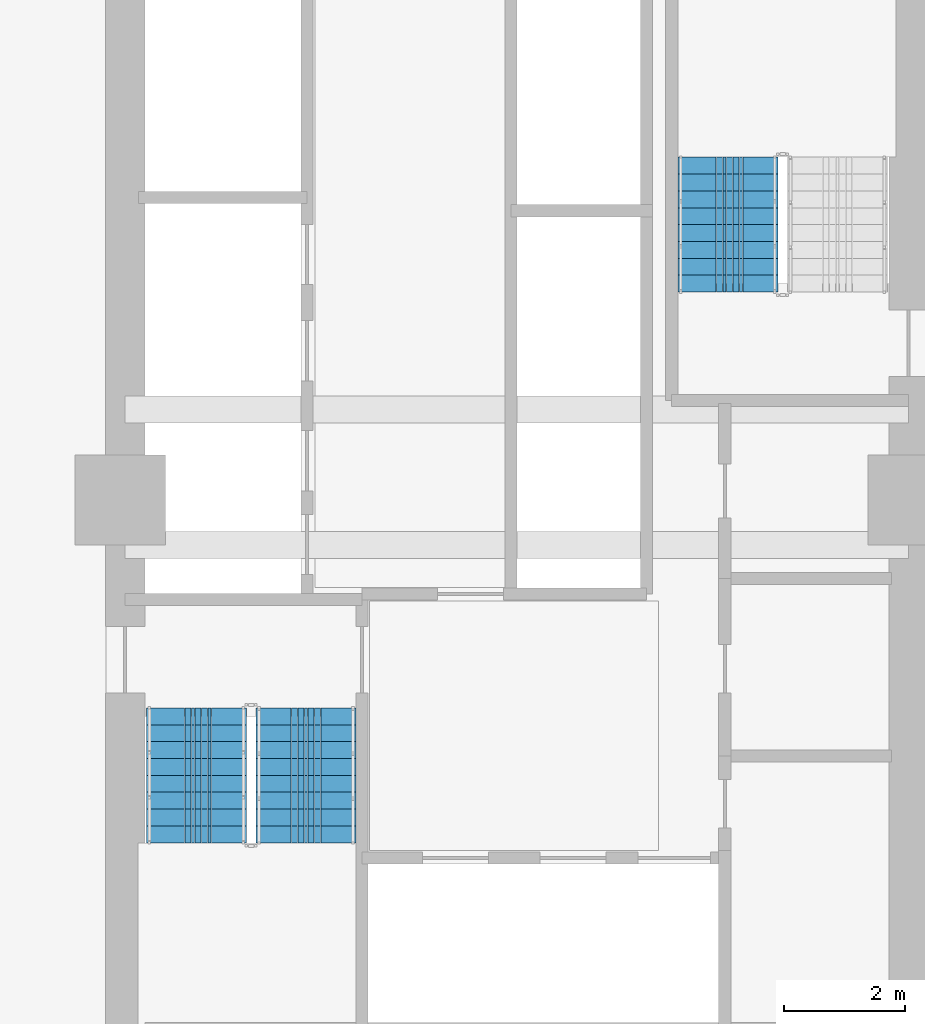
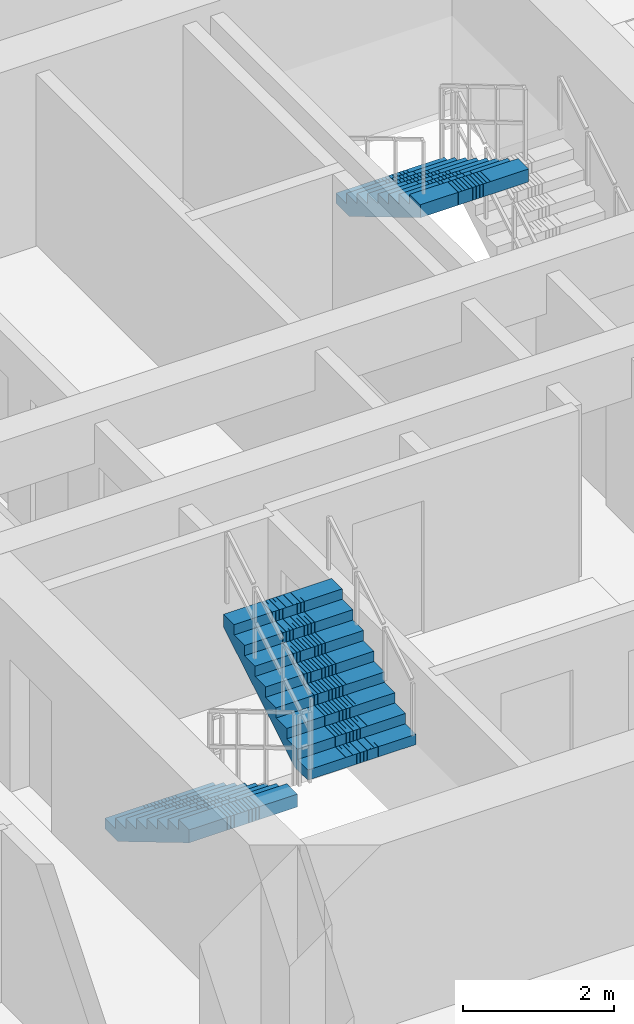
# One storey, part 9 of 16: 3 stair flights, 2 elements without a shape of their own.
"""IFC4 building model written with IfcOpenShell, lengths in metres."""

from ifc_helpers import new_model, si_unit, direction, frame, origin, place, context, subcontext, project, spatial, polyline, outline, extrude, material, type_object, element, aggregate, save


model = new_model("IFC4")

# Units and contexts
model_context = context("Model", 3, precision=1e-05, world=origin(), true_north=direction((0.0, 1.0)))
body_context = subcontext(model_context, "Body", "Model", "MODEL_VIEW")
ifc_project = project(units=[si_unit("LENGTHUNIT", "METRE"), si_unit("AREAUNIT", "SQUARE_METRE"), si_unit("VOLUMEUNIT", "CUBIC_METRE"), si_unit("PLANEANGLEUNIT", "RADIAN"), si_unit("MASSUNIT", "GRAM", prefix="KILO")], contexts=[model_context])

# Site, building, storey
site_placement = place(None, origin())
site = spatial("IfcSite", under=ifc_project, at=site_placement, CompositionType="ELEMENT")
building_placement = place(site_placement, origin())
building = spatial("IfcBuilding", under=site, at=building_placement, Name="Saelheon Loggia Tower", CompositionType="ELEMENT")
storey_placement = place(building_placement, frame((0.0, 0.0, 31.39990234375)))
storey = spatial("IfcBuildingStorey", under=building, at=storey_placement, Name="L09", CompositionType="ELEMENT", Elevation=31.39990234375)

# Stair, stair flights
ifc_material = material(Name="Concrete C40/50", Category="concrete")
stair_type = type_object("IfcStairType", Name="Stair_Escape_Core", PredefinedType="HALF_TURN_STAIR", material=ifc_material)
stair_1_placement = place(storey_placement, origin())
stair_1 = element("IfcStair", 1, at=stair_1_placement, inside=storey, type_object=stair_type, Name="L09 Special Escape Stair ST1", PredefinedType="HALF_TURN_STAIR")
stair_flight_type = type_object("IfcStairFlightType", Name="StairFlight_Tower_1660", PredefinedType="STRAIGHT", material=ifc_material)
stair_flight_1_placement = place(storey_placement, frame((32.679931640625, 23.550048828125, 0.0), z_axis=(0.0, 0.0, 1.0), x_axis=(0.0, -1.0, 0.0)))
stair_flight_1 = element("IfcStairFlight", 2, at=stair_flight_1_placement, type_object=stair_flight_type, Name="ST1 flight 1", NumberOfRisers=9, NumberOfTreads=8, PredefinedType="STRAIGHT", RiserHeight=0.166666667, TreadLength=0.28, context=body_context, shape_type="SweptSolid", body=[
    extrude(outline(polyline([(0.0, 0.0), (0.0, 0.166748046875), (0.280029296875, 0.166748046875), (0.280029296875, 0.333251953125), (0.56005859375, 0.333251953125), (0.56005859375, 0.5), (0.840087890625, 0.5), (0.840087890625, 0.666748046875), (1.1201171875, 0.666748046875), (1.1201171875, 0.833251953125), (1.39990234375, 0.833251953125), (1.39990234375, 1.0), (1.679931640625, 1.0), (1.679931640625, 1.166748046875), (1.9599609375, 1.166748046875), (1.9599609375, 1.333251953125), (2.239990234375, 1.333251953125), (2.239990234375, 1.5), (2.239990234375, 1.1240234375), (0.351806640625, 0.0), (0.0, 0.0)])), frame((0.0, -0.2490234375, 0.0), z_axis=(0.0, -1.0, 0.0), x_axis=(1.0, 0.0, 0.0)), (0.0, 0.0, 1.0), 0.5810546875),
    extrude(outline(polyline([(0.0, 0.0), (0.0, 0.166748046875), (0.280029296875, 0.166748046875), (0.280029296875, 0.333251953125), (0.56005859375, 0.333251953125), (0.56005859375, 0.5), (0.840087890625, 0.5), (0.840087890625, 0.666748046875), (1.1201171875, 0.666748046875), (1.1201171875, 0.833251953125), (1.39990234375, 0.833251953125), (1.39990234375, 1.0), (1.679931640625, 1.0), (1.679931640625, 1.166748046875), (1.9599609375, 1.166748046875), (1.9599609375, 1.333251953125), (2.239990234375, 1.333251953125), (2.239990234375, 1.5), (2.239990234375, 1.1240234375), (0.351806640625, 0.0), (0.0, 0.0)])), frame((0.0, -0.194091796875, 0.0), z_axis=(0.0, -1.0, 0.0), x_axis=(1.0, 0.0, 0.0)), (0.0, 0.0, 1.0), 0.0498046875),
    extrude(outline(polyline([(0.0, 0.0), (0.0, 0.166748046875), (0.280029296875, 0.166748046875), (0.280029296875, 0.333251953125), (0.56005859375, 0.333251953125), (0.56005859375, 0.5), (0.840087890625, 0.5), (0.840087890625, 0.666748046875), (1.1201171875, 0.666748046875), (1.1201171875, 0.833251953125), (1.39990234375, 0.833251953125), (1.39990234375, 1.0), (1.679931640625, 1.0), (1.679931640625, 1.166748046875), (1.9599609375, 1.166748046875), (1.9599609375, 1.333251953125), (2.239990234375, 1.333251953125), (2.239990234375, 1.5), (2.239990234375, 1.1240234375), (0.351806640625, 0.0), (0.0, 0.0)])), frame((0.0, -0.139404296875, 0.0), z_axis=(0.0, -1.0, 0.0), x_axis=(1.0, 0.0, 0.0)), (0.0, 0.0, 1.0), 0.0498046875),
    extrude(outline(polyline([(0.0, 0.0), (0.0, 0.166748046875), (0.280029296875, 0.166748046875), (0.280029296875, 0.333251953125), (0.56005859375, 0.333251953125), (0.56005859375, 0.5), (0.840087890625, 0.5), (0.840087890625, 0.666748046875), (1.1201171875, 0.666748046875), (1.1201171875, 0.833251953125), (1.39990234375, 0.833251953125), (1.39990234375, 1.0), (1.679931640625, 1.0), (1.679931640625, 1.166748046875), (1.9599609375, 1.166748046875), (1.9599609375, 1.333251953125), (2.239990234375, 1.333251953125), (2.239990234375, 1.5), (2.239990234375, 1.1240234375), (0.351806640625, 0.0), (0.0, 0.0)])), frame((0.0, -0.084716796875, 0.0), z_axis=(0.0, -1.0, 0.0), x_axis=(1.0, 0.0, 0.0)), (0.0, 0.0, 1.0), 0.0498046875),
    extrude(outline(polyline([(0.0, 0.0), (0.0, 0.166748046875), (0.280029296875, 0.166748046875), (0.280029296875, 0.333251953125), (0.56005859375, 0.333251953125), (0.56005859375, 0.5), (0.840087890625, 0.5), (0.840087890625, 0.666748046875), (1.1201171875, 0.666748046875), (1.1201171875, 0.833251953125), (1.39990234375, 0.833251953125), (1.39990234375, 1.0), (1.679931640625, 1.0), (1.679931640625, 1.166748046875), (1.9599609375, 1.166748046875), (1.9599609375, 1.333251953125), (2.239990234375, 1.333251953125), (2.239990234375, 1.5), (2.239990234375, 1.1240234375), (0.351806640625, 0.0), (0.0, 0.0)])), frame((0.0, -0.02978515625, 0.0), z_axis=(0.0, -1.0, 0.0), x_axis=(1.0, 0.0, 0.0)), (0.0, 0.0, 1.0), 0.0498046875),
    extrude(outline(polyline([(0.0, 0.0), (0.0, 0.166748046875), (0.280029296875, 0.166748046875), (0.280029296875, 0.333251953125), (0.56005859375, 0.333251953125), (0.56005859375, 0.5), (0.840087890625, 0.5), (0.840087890625, 0.666748046875), (1.1201171875, 0.666748046875), (1.1201171875, 0.833251953125), (1.39990234375, 0.833251953125), (1.39990234375, 1.0), (1.679931640625, 1.0), (1.679931640625, 1.166748046875), (1.9599609375, 1.166748046875), (1.9599609375, 1.333251953125), (2.239990234375, 1.333251953125), (2.239990234375, 1.5), (2.239990234375, 1.1240234375), (0.351806640625, 0.0), (0.0, 0.0)])), frame((0.0, 0.02490234375, 0.0), z_axis=(0.0, -1.0, 0.0), x_axis=(1.0, 0.0, 0.0)), (0.0, 0.0, 1.0), 0.0498046875),
    extrude(outline(polyline([(0.0, 0.0), (0.0, 0.166748046875), (0.280029296875, 0.166748046875), (0.280029296875, 0.333251953125), (0.56005859375, 0.333251953125), (0.56005859375, 0.5), (0.840087890625, 0.5), (0.840087890625, 0.666748046875), (1.1201171875, 0.666748046875), (1.1201171875, 0.833251953125), (1.39990234375, 0.833251953125), (1.39990234375, 1.0), (1.679931640625, 1.0), (1.679931640625, 1.166748046875), (1.9599609375, 1.166748046875), (1.9599609375, 1.333251953125), (2.239990234375, 1.333251953125), (2.239990234375, 1.5), (2.239990234375, 1.1240234375), (0.351806640625, 0.0), (0.0, 0.0)])), frame((0.0, 0.07958984375, 0.0), z_axis=(0.0, -1.0, 0.0), x_axis=(1.0, 0.0, 0.0)), (0.0, 0.0, 1.0), 0.0498046875),
    extrude(outline(polyline([(0.0, 0.0), (0.0, 0.166748046875), (0.280029296875, 0.166748046875), (0.280029296875, 0.333251953125), (0.56005859375, 0.333251953125), (0.56005859375, 0.5), (0.840087890625, 0.5), (0.840087890625, 0.666748046875), (1.1201171875, 0.666748046875), (1.1201171875, 0.833251953125), (1.39990234375, 0.833251953125), (1.39990234375, 1.0), (1.679931640625, 1.0), (1.679931640625, 1.166748046875), (1.9599609375, 1.166748046875), (1.9599609375, 1.333251953125), (2.239990234375, 1.333251953125), (2.239990234375, 1.5), (2.239990234375, 1.1240234375), (0.351806640625, 0.0), (0.0, 0.0)])), frame((0.0, 0.134521484375, 0.0), z_axis=(0.0, -1.0, 0.0), x_axis=(1.0, 0.0, 0.0)), (0.0, 0.0, 1.0), 0.0498046875),
    extrude(outline(polyline([(0.0, 0.0), (0.0, 0.166748046875), (0.280029296875, 0.166748046875), (0.280029296875, 0.333251953125), (0.56005859375, 0.333251953125), (0.56005859375, 0.5), (0.840087890625, 0.5), (0.840087890625, 0.666748046875), (1.1201171875, 0.666748046875), (1.1201171875, 0.833251953125), (1.39990234375, 0.833251953125), (1.39990234375, 1.0), (1.679931640625, 1.0), (1.679931640625, 1.166748046875), (1.9599609375, 1.166748046875), (1.9599609375, 1.333251953125), (2.239990234375, 1.333251953125), (2.239990234375, 1.5), (2.239990234375, 1.1240234375), (0.351806640625, 0.0), (0.0, 0.0)])), frame((0.0, 0.189208984375, 0.0), z_axis=(0.0, -1.0, 0.0), x_axis=(1.0, 0.0, 0.0)), (0.0, 0.0, 1.0), 0.0498046875),
    extrude(outline(polyline([(0.0, 0.0), (0.0, 0.166748046875), (0.280029296875, 0.166748046875), (0.280029296875, 0.333251953125), (0.56005859375, 0.333251953125), (0.56005859375, 0.5), (0.840087890625, 0.5), (0.840087890625, 0.666748046875), (1.1201171875, 0.666748046875), (1.1201171875, 0.833251953125), (1.39990234375, 0.833251953125), (1.39990234375, 1.0), (1.679931640625, 1.0), (1.679931640625, 1.166748046875), (1.9599609375, 1.166748046875), (1.9599609375, 1.333251953125), (2.239990234375, 1.333251953125), (2.239990234375, 1.5), (2.239990234375, 1.1240234375), (0.351806640625, 0.0), (0.0, 0.0)])), frame((0.0, 0.243896484375, 0.0), z_axis=(0.0, -1.0, 0.0), x_axis=(1.0, 0.0, 0.0)), (0.0, 0.0, 1.0), 0.0498046875),
    extrude(outline(polyline([(0.0, 0.0), (0.0, 0.166748046875), (0.280029296875, 0.166748046875), (0.280029296875, 0.333251953125), (0.56005859375, 0.333251953125), (0.56005859375, 0.5), (0.840087890625, 0.5), (0.840087890625, 0.666748046875), (1.1201171875, 0.666748046875), (1.1201171875, 0.833251953125), (1.39990234375, 0.833251953125), (1.39990234375, 1.0), (1.679931640625, 1.0), (1.679931640625, 1.166748046875), (1.9599609375, 1.166748046875), (1.9599609375, 1.333251953125), (2.239990234375, 1.333251953125), (2.239990234375, 1.5), (2.239990234375, 1.1240234375), (0.351806640625, 0.0), (0.0, 0.0)])), frame((0.0, 0.830078125, 0.0), z_axis=(0.0, -1.0, 0.0), x_axis=(1.0, 0.0, 0.0)), (0.0, 0.0, 1.0), 0.5810546875),
])
stair_flight_2_placement = place(storey_placement, frame((34.5, 21.31005859375, 1.5), z_axis=(0.0, 0.0, 1.0), x_axis=(0.0, 1.0, 0.0)))
stair_flight_2 = element("IfcStairFlight", 3, at=stair_flight_2_placement, type_object=stair_flight_type, Name="ST1 flight 2", NumberOfRisers=9, NumberOfTreads=8, PredefinedType="STRAIGHT", RiserHeight=0.166666667, TreadLength=0.28, context=body_context, shape_type="SweptSolid", body=[
    extrude(outline(polyline([(0.0, 0.0), (0.0, 0.166748046875), (0.280029296875, 0.166748046875), (0.280029296875, 0.333251953125), (0.56005859375, 0.333251953125), (0.56005859375, 0.5), (0.840087890625, 0.5), (0.840087890625, 0.666748046875), (1.1201171875, 0.666748046875), (1.1201171875, 0.833251953125), (1.39990234375, 0.833251953125), (1.39990234375, 1.0), (1.679931640625, 1.0), (1.679931640625, 1.166748046875), (1.9599609375, 1.166748046875), (1.9599609375, 1.333251953125), (2.239990234375, 1.333251953125), (2.239990234375, 1.5), (2.239990234375, 1.1240234375), (0.351806640625, 0.0), (0.0, 0.0)])), frame((0.0, -0.2490234375, 0.0), z_axis=(0.0, -1.0, 0.0), x_axis=(1.0, 0.0, 0.0)), (0.0, 0.0, 1.0), 0.5810546875),
    extrude(outline(polyline([(0.0, 0.0), (0.0, 0.166748046875), (0.280029296875, 0.166748046875), (0.280029296875, 0.333251953125), (0.56005859375, 0.333251953125), (0.56005859375, 0.5), (0.840087890625, 0.5), (0.840087890625, 0.666748046875), (1.1201171875, 0.666748046875), (1.1201171875, 0.833251953125), (1.39990234375, 0.833251953125), (1.39990234375, 1.0), (1.679931640625, 1.0), (1.679931640625, 1.166748046875), (1.9599609375, 1.166748046875), (1.9599609375, 1.333251953125), (2.239990234375, 1.333251953125), (2.239990234375, 1.5), (2.239990234375, 1.1240234375), (0.351806640625, 0.0), (0.0, 0.0)])), frame((0.0, -0.194091796875, 0.0), z_axis=(0.0, -1.0, 0.0), x_axis=(1.0, 0.0, 0.0)), (0.0, 0.0, 1.0), 0.0498046875),
    extrude(outline(polyline([(0.0, 0.0), (0.0, 0.166748046875), (0.280029296875, 0.166748046875), (0.280029296875, 0.333251953125), (0.56005859375, 0.333251953125), (0.56005859375, 0.5), (0.840087890625, 0.5), (0.840087890625, 0.666748046875), (1.1201171875, 0.666748046875), (1.1201171875, 0.833251953125), (1.39990234375, 0.833251953125), (1.39990234375, 1.0), (1.679931640625, 1.0), (1.679931640625, 1.166748046875), (1.9599609375, 1.166748046875), (1.9599609375, 1.333251953125), (2.239990234375, 1.333251953125), (2.239990234375, 1.5), (2.239990234375, 1.1240234375), (0.351806640625, 0.0), (0.0, 0.0)])), frame((0.0, -0.139404296875, 0.0), z_axis=(0.0, -1.0, 0.0), x_axis=(1.0, 0.0, 0.0)), (0.0, 0.0, 1.0), 0.0498046875),
    extrude(outline(polyline([(0.0, 0.0), (0.0, 0.166748046875), (0.280029296875, 0.166748046875), (0.280029296875, 0.333251953125), (0.56005859375, 0.333251953125), (0.56005859375, 0.5), (0.840087890625, 0.5), (0.840087890625, 0.666748046875), (1.1201171875, 0.666748046875), (1.1201171875, 0.833251953125), (1.39990234375, 0.833251953125), (1.39990234375, 1.0), (1.679931640625, 1.0), (1.679931640625, 1.166748046875), (1.9599609375, 1.166748046875), (1.9599609375, 1.333251953125), (2.239990234375, 1.333251953125), (2.239990234375, 1.5), (2.239990234375, 1.1240234375), (0.351806640625, 0.0), (0.0, 0.0)])), frame((0.0, -0.084716796875, 0.0), z_axis=(0.0, -1.0, 0.0), x_axis=(1.0, 0.0, 0.0)), (0.0, 0.0, 1.0), 0.0498046875),
    extrude(outline(polyline([(0.0, 0.0), (0.0, 0.166748046875), (0.280029296875, 0.166748046875), (0.280029296875, 0.333251953125), (0.56005859375, 0.333251953125), (0.56005859375, 0.5), (0.840087890625, 0.5), (0.840087890625, 0.666748046875), (1.1201171875, 0.666748046875), (1.1201171875, 0.833251953125), (1.39990234375, 0.833251953125), (1.39990234375, 1.0), (1.679931640625, 1.0), (1.679931640625, 1.166748046875), (1.9599609375, 1.166748046875), (1.9599609375, 1.333251953125), (2.239990234375, 1.333251953125), (2.239990234375, 1.5), (2.239990234375, 1.1240234375), (0.351806640625, 0.0), (0.0, 0.0)])), frame((0.0, -0.02978515625, 0.0), z_axis=(0.0, -1.0, 0.0), x_axis=(1.0, 0.0, 0.0)), (0.0, 0.0, 1.0), 0.0498046875),
    extrude(outline(polyline([(0.0, 0.0), (0.0, 0.166748046875), (0.280029296875, 0.166748046875), (0.280029296875, 0.333251953125), (0.56005859375, 0.333251953125), (0.56005859375, 0.5), (0.840087890625, 0.5), (0.840087890625, 0.666748046875), (1.1201171875, 0.666748046875), (1.1201171875, 0.833251953125), (1.39990234375, 0.833251953125), (1.39990234375, 1.0), (1.679931640625, 1.0), (1.679931640625, 1.166748046875), (1.9599609375, 1.166748046875), (1.9599609375, 1.333251953125), (2.239990234375, 1.333251953125), (2.239990234375, 1.5), (2.239990234375, 1.1240234375), (0.351806640625, 0.0), (0.0, 0.0)])), frame((0.0, 0.02490234375, 0.0), z_axis=(0.0, -1.0, 0.0), x_axis=(1.0, 0.0, 0.0)), (0.0, 0.0, 1.0), 0.0498046875),
    extrude(outline(polyline([(0.0, 0.0), (0.0, 0.166748046875), (0.280029296875, 0.166748046875), (0.280029296875, 0.333251953125), (0.56005859375, 0.333251953125), (0.56005859375, 0.5), (0.840087890625, 0.5), (0.840087890625, 0.666748046875), (1.1201171875, 0.666748046875), (1.1201171875, 0.833251953125), (1.39990234375, 0.833251953125), (1.39990234375, 1.0), (1.679931640625, 1.0), (1.679931640625, 1.166748046875), (1.9599609375, 1.166748046875), (1.9599609375, 1.333251953125), (2.239990234375, 1.333251953125), (2.239990234375, 1.5), (2.239990234375, 1.1240234375), (0.351806640625, 0.0), (0.0, 0.0)])), frame((0.0, 0.07958984375, 0.0), z_axis=(0.0, -1.0, 0.0), x_axis=(1.0, 0.0, 0.0)), (0.0, 0.0, 1.0), 0.0498046875),
    extrude(outline(polyline([(0.0, 0.0), (0.0, 0.166748046875), (0.280029296875, 0.166748046875), (0.280029296875, 0.333251953125), (0.56005859375, 0.333251953125), (0.56005859375, 0.5), (0.840087890625, 0.5), (0.840087890625, 0.666748046875), (1.1201171875, 0.666748046875), (1.1201171875, 0.833251953125), (1.39990234375, 0.833251953125), (1.39990234375, 1.0), (1.679931640625, 1.0), (1.679931640625, 1.166748046875), (1.9599609375, 1.166748046875), (1.9599609375, 1.333251953125), (2.239990234375, 1.333251953125), (2.239990234375, 1.5), (2.239990234375, 1.1240234375), (0.351806640625, 0.0), (0.0, 0.0)])), frame((0.0, 0.134521484375, 0.0), z_axis=(0.0, -1.0, 0.0), x_axis=(1.0, 0.0, 0.0)), (0.0, 0.0, 1.0), 0.0498046875),
    extrude(outline(polyline([(0.0, 0.0), (0.0, 0.166748046875), (0.280029296875, 0.166748046875), (0.280029296875, 0.333251953125), (0.56005859375, 0.333251953125), (0.56005859375, 0.5), (0.840087890625, 0.5), (0.840087890625, 0.666748046875), (1.1201171875, 0.666748046875), (1.1201171875, 0.833251953125), (1.39990234375, 0.833251953125), (1.39990234375, 1.0), (1.679931640625, 1.0), (1.679931640625, 1.166748046875), (1.9599609375, 1.166748046875), (1.9599609375, 1.333251953125), (2.239990234375, 1.333251953125), (2.239990234375, 1.5), (2.239990234375, 1.1240234375), (0.351806640625, 0.0), (0.0, 0.0)])), frame((0.0, 0.189208984375, 0.0), z_axis=(0.0, -1.0, 0.0), x_axis=(1.0, 0.0, 0.0)), (0.0, 0.0, 1.0), 0.0498046875),
    extrude(outline(polyline([(0.0, 0.0), (0.0, 0.166748046875), (0.280029296875, 0.166748046875), (0.280029296875, 0.333251953125), (0.56005859375, 0.333251953125), (0.56005859375, 0.5), (0.840087890625, 0.5), (0.840087890625, 0.666748046875), (1.1201171875, 0.666748046875), (1.1201171875, 0.833251953125), (1.39990234375, 0.833251953125), (1.39990234375, 1.0), (1.679931640625, 1.0), (1.679931640625, 1.166748046875), (1.9599609375, 1.166748046875), (1.9599609375, 1.333251953125), (2.239990234375, 1.333251953125), (2.239990234375, 1.5), (2.239990234375, 1.1240234375), (0.351806640625, 0.0), (0.0, 0.0)])), frame((0.0, 0.243896484375, 0.0), z_axis=(0.0, -1.0, 0.0), x_axis=(1.0, 0.0, 0.0)), (0.0, 0.0, 1.0), 0.0498046875),
    extrude(outline(polyline([(0.0, 0.0), (0.0, 0.166748046875), (0.280029296875, 0.166748046875), (0.280029296875, 0.333251953125), (0.56005859375, 0.333251953125), (0.56005859375, 0.5), (0.840087890625, 0.5), (0.840087890625, 0.666748046875), (1.1201171875, 0.666748046875), (1.1201171875, 0.833251953125), (1.39990234375, 0.833251953125), (1.39990234375, 1.0), (1.679931640625, 1.0), (1.679931640625, 1.166748046875), (1.9599609375, 1.166748046875), (1.9599609375, 1.333251953125), (2.239990234375, 1.333251953125), (2.239990234375, 1.5), (2.239990234375, 1.1240234375), (0.351806640625, 0.0), (0.0, 0.0)])), frame((0.0, 0.830078125, 0.0), z_axis=(0.0, -1.0, 0.0), x_axis=(1.0, 0.0, 0.0)), (0.0, 0.0, 1.0), 0.5810546875),
])
aggregate(stair_1, [stair_flight_1, stair_flight_2])

# Stair, stair flight
stair_2_placement = place(storey_placement, origin())
stair_2 = element("IfcStair", 4, at=stair_2_placement, inside=storey, type_object=stair_type, Name="L09 Special Escape Stair ST2", PredefinedType="HALF_TURN_STAIR")
stair_flight_3_placement = place(storey_placement, frame((41.5, 32.68994140625, 1.5), z_axis=(0.0, 0.0, 1.0), x_axis=(0.0, -1.0, 0.0)))
stair_flight_3 = element("IfcStairFlight", 5, at=stair_flight_3_placement, type_object=stair_flight_type, Name="ST2 flight 2", NumberOfRisers=9, NumberOfTreads=8, PredefinedType="STRAIGHT", RiserHeight=0.166666667, TreadLength=0.28, context=body_context, shape_type="SweptSolid", body=[
    extrude(outline(polyline([(0.0, 0.0), (0.0, 0.166748046875), (0.280029296875, 0.166748046875), (0.280029296875, 0.333251953125), (0.56005859375, 0.333251953125), (0.56005859375, 0.5), (0.840087890625, 0.5), (0.840087890625, 0.666748046875), (1.1201171875, 0.666748046875), (1.1201171875, 0.833251953125), (1.39990234375, 0.833251953125), (1.39990234375, 1.0), (1.679931640625, 1.0), (1.679931640625, 1.166748046875), (1.9599609375, 1.166748046875), (1.9599609375, 1.333251953125), (2.239990234375, 1.333251953125), (2.239990234375, 1.5), (2.239990234375, 1.1240234375), (0.351806640625, 0.0), (0.0, 0.0)])), frame((0.0, -0.2490234375, 0.0), z_axis=(0.0, -1.0, 0.0), x_axis=(1.0, 0.0, 0.0)), (0.0, 0.0, 1.0), 0.5810546875),
    extrude(outline(polyline([(0.0, 0.0), (0.0, 0.166748046875), (0.280029296875, 0.166748046875), (0.280029296875, 0.333251953125), (0.56005859375, 0.333251953125), (0.56005859375, 0.5), (0.840087890625, 0.5), (0.840087890625, 0.666748046875), (1.1201171875, 0.666748046875), (1.1201171875, 0.833251953125), (1.39990234375, 0.833251953125), (1.39990234375, 1.0), (1.679931640625, 1.0), (1.679931640625, 1.166748046875), (1.9599609375, 1.166748046875), (1.9599609375, 1.333251953125), (2.239990234375, 1.333251953125), (2.239990234375, 1.5), (2.239990234375, 1.1240234375), (0.351806640625, 0.0), (0.0, 0.0)])), frame((0.0, -0.194091796875, 0.0), z_axis=(0.0, -1.0, 0.0), x_axis=(1.0, 0.0, 0.0)), (0.0, 0.0, 1.0), 0.0498046875),
    extrude(outline(polyline([(0.0, 0.0), (0.0, 0.166748046875), (0.280029296875, 0.166748046875), (0.280029296875, 0.333251953125), (0.56005859375, 0.333251953125), (0.56005859375, 0.5), (0.840087890625, 0.5), (0.840087890625, 0.666748046875), (1.1201171875, 0.666748046875), (1.1201171875, 0.833251953125), (1.39990234375, 0.833251953125), (1.39990234375, 1.0), (1.679931640625, 1.0), (1.679931640625, 1.166748046875), (1.9599609375, 1.166748046875), (1.9599609375, 1.333251953125), (2.239990234375, 1.333251953125), (2.239990234375, 1.5), (2.239990234375, 1.1240234375), (0.351806640625, 0.0), (0.0, 0.0)])), frame((0.0, -0.139404296875, 0.0), z_axis=(0.0, -1.0, 0.0), x_axis=(1.0, 0.0, 0.0)), (0.0, 0.0, 1.0), 0.0498046875),
    extrude(outline(polyline([(0.0, 0.0), (0.0, 0.166748046875), (0.280029296875, 0.166748046875), (0.280029296875, 0.333251953125), (0.56005859375, 0.333251953125), (0.56005859375, 0.5), (0.840087890625, 0.5), (0.840087890625, 0.666748046875), (1.1201171875, 0.666748046875), (1.1201171875, 0.833251953125), (1.39990234375, 0.833251953125), (1.39990234375, 1.0), (1.679931640625, 1.0), (1.679931640625, 1.166748046875), (1.9599609375, 1.166748046875), (1.9599609375, 1.333251953125), (2.239990234375, 1.333251953125), (2.239990234375, 1.5), (2.239990234375, 1.1240234375), (0.351806640625, 0.0), (0.0, 0.0)])), frame((0.0, -0.084716796875, 0.0), z_axis=(0.0, -1.0, 0.0), x_axis=(1.0, 0.0, 0.0)), (0.0, 0.0, 1.0), 0.0498046875),
    extrude(outline(polyline([(0.0, 0.0), (0.0, 0.166748046875), (0.280029296875, 0.166748046875), (0.280029296875, 0.333251953125), (0.56005859375, 0.333251953125), (0.56005859375, 0.5), (0.840087890625, 0.5), (0.840087890625, 0.666748046875), (1.1201171875, 0.666748046875), (1.1201171875, 0.833251953125), (1.39990234375, 0.833251953125), (1.39990234375, 1.0), (1.679931640625, 1.0), (1.679931640625, 1.166748046875), (1.9599609375, 1.166748046875), (1.9599609375, 1.333251953125), (2.239990234375, 1.333251953125), (2.239990234375, 1.5), (2.239990234375, 1.1240234375), (0.351806640625, 0.0), (0.0, 0.0)])), frame((0.0, -0.02978515625, 0.0), z_axis=(0.0, -1.0, 0.0), x_axis=(1.0, 0.0, 0.0)), (0.0, 0.0, 1.0), 0.0498046875),
    extrude(outline(polyline([(0.0, 0.0), (0.0, 0.166748046875), (0.280029296875, 0.166748046875), (0.280029296875, 0.333251953125), (0.56005859375, 0.333251953125), (0.56005859375, 0.5), (0.840087890625, 0.5), (0.840087890625, 0.666748046875), (1.1201171875, 0.666748046875), (1.1201171875, 0.833251953125), (1.39990234375, 0.833251953125), (1.39990234375, 1.0), (1.679931640625, 1.0), (1.679931640625, 1.166748046875), (1.9599609375, 1.166748046875), (1.9599609375, 1.333251953125), (2.239990234375, 1.333251953125), (2.239990234375, 1.5), (2.239990234375, 1.1240234375), (0.351806640625, 0.0), (0.0, 0.0)])), frame((0.0, 0.02490234375, 0.0), z_axis=(0.0, -1.0, 0.0), x_axis=(1.0, 0.0, 0.0)), (0.0, 0.0, 1.0), 0.0498046875),
    extrude(outline(polyline([(0.0, 0.0), (0.0, 0.166748046875), (0.280029296875, 0.166748046875), (0.280029296875, 0.333251953125), (0.56005859375, 0.333251953125), (0.56005859375, 0.5), (0.840087890625, 0.5), (0.840087890625, 0.666748046875), (1.1201171875, 0.666748046875), (1.1201171875, 0.833251953125), (1.39990234375, 0.833251953125), (1.39990234375, 1.0), (1.679931640625, 1.0), (1.679931640625, 1.166748046875), (1.9599609375, 1.166748046875), (1.9599609375, 1.333251953125), (2.239990234375, 1.333251953125), (2.239990234375, 1.5), (2.239990234375, 1.1240234375), (0.351806640625, 0.0), (0.0, 0.0)])), frame((0.0, 0.07958984375, 0.0), z_axis=(0.0, -1.0, 0.0), x_axis=(1.0, 0.0, 0.0)), (0.0, 0.0, 1.0), 0.0498046875),
    extrude(outline(polyline([(0.0, 0.0), (0.0, 0.166748046875), (0.280029296875, 0.166748046875), (0.280029296875, 0.333251953125), (0.56005859375, 0.333251953125), (0.56005859375, 0.5), (0.840087890625, 0.5), (0.840087890625, 0.666748046875), (1.1201171875, 0.666748046875), (1.1201171875, 0.833251953125), (1.39990234375, 0.833251953125), (1.39990234375, 1.0), (1.679931640625, 1.0), (1.679931640625, 1.166748046875), (1.9599609375, 1.166748046875), (1.9599609375, 1.333251953125), (2.239990234375, 1.333251953125), (2.239990234375, 1.5), (2.239990234375, 1.1240234375), (0.351806640625, 0.0), (0.0, 0.0)])), frame((0.0, 0.134521484375, 0.0), z_axis=(0.0, -1.0, 0.0), x_axis=(1.0, 0.0, 0.0)), (0.0, 0.0, 1.0), 0.0498046875),
    extrude(outline(polyline([(0.0, 0.0), (0.0, 0.166748046875), (0.280029296875, 0.166748046875), (0.280029296875, 0.333251953125), (0.56005859375, 0.333251953125), (0.56005859375, 0.5), (0.840087890625, 0.5), (0.840087890625, 0.666748046875), (1.1201171875, 0.666748046875), (1.1201171875, 0.833251953125), (1.39990234375, 0.833251953125), (1.39990234375, 1.0), (1.679931640625, 1.0), (1.679931640625, 1.166748046875), (1.9599609375, 1.166748046875), (1.9599609375, 1.333251953125), (2.239990234375, 1.333251953125), (2.239990234375, 1.5), (2.239990234375, 1.1240234375), (0.351806640625, 0.0), (0.0, 0.0)])), frame((0.0, 0.189208984375, 0.0), z_axis=(0.0, -1.0, 0.0), x_axis=(1.0, 0.0, 0.0)), (0.0, 0.0, 1.0), 0.0498046875),
    extrude(outline(polyline([(0.0, 0.0), (0.0, 0.166748046875), (0.280029296875, 0.166748046875), (0.280029296875, 0.333251953125), (0.56005859375, 0.333251953125), (0.56005859375, 0.5), (0.840087890625, 0.5), (0.840087890625, 0.666748046875), (1.1201171875, 0.666748046875), (1.1201171875, 0.833251953125), (1.39990234375, 0.833251953125), (1.39990234375, 1.0), (1.679931640625, 1.0), (1.679931640625, 1.166748046875), (1.9599609375, 1.166748046875), (1.9599609375, 1.333251953125), (2.239990234375, 1.333251953125), (2.239990234375, 1.5), (2.239990234375, 1.1240234375), (0.351806640625, 0.0), (0.0, 0.0)])), frame((0.0, 0.243896484375, 0.0), z_axis=(0.0, -1.0, 0.0), x_axis=(1.0, 0.0, 0.0)), (0.0, 0.0, 1.0), 0.0498046875),
    extrude(outline(polyline([(0.0, 0.0), (0.0, 0.166748046875), (0.280029296875, 0.166748046875), (0.280029296875, 0.333251953125), (0.56005859375, 0.333251953125), (0.56005859375, 0.5), (0.840087890625, 0.5), (0.840087890625, 0.666748046875), (1.1201171875, 0.666748046875), (1.1201171875, 0.833251953125), (1.39990234375, 0.833251953125), (1.39990234375, 1.0), (1.679931640625, 1.0), (1.679931640625, 1.166748046875), (1.9599609375, 1.166748046875), (1.9599609375, 1.333251953125), (2.239990234375, 1.333251953125), (2.239990234375, 1.5), (2.239990234375, 1.1240234375), (0.351806640625, 0.0), (0.0, 0.0)])), frame((0.0, 0.830078125, 0.0), z_axis=(0.0, -1.0, 0.0), x_axis=(1.0, 0.0, 0.0)), (0.0, 0.0, 1.0), 0.5810546875),
])
aggregate(stair_2, [stair_flight_3])

save(model, "model.ifc")
